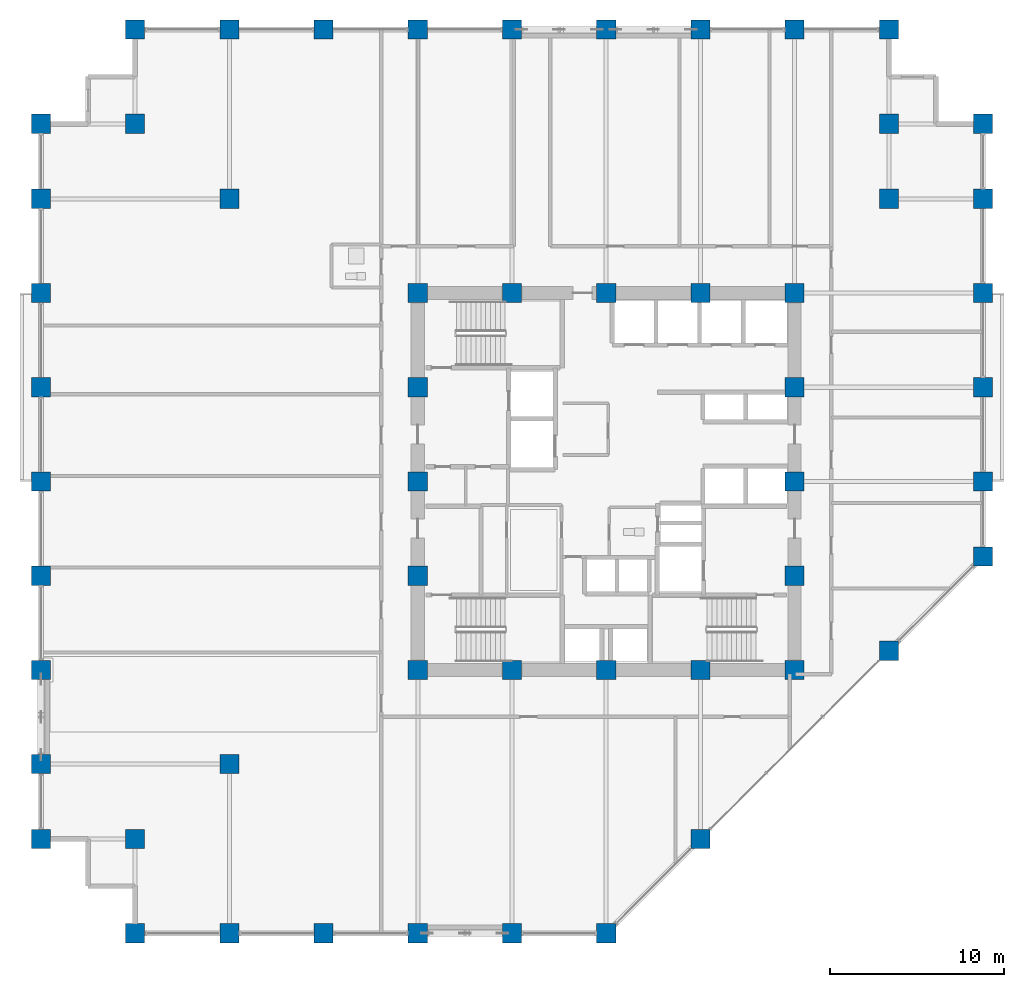
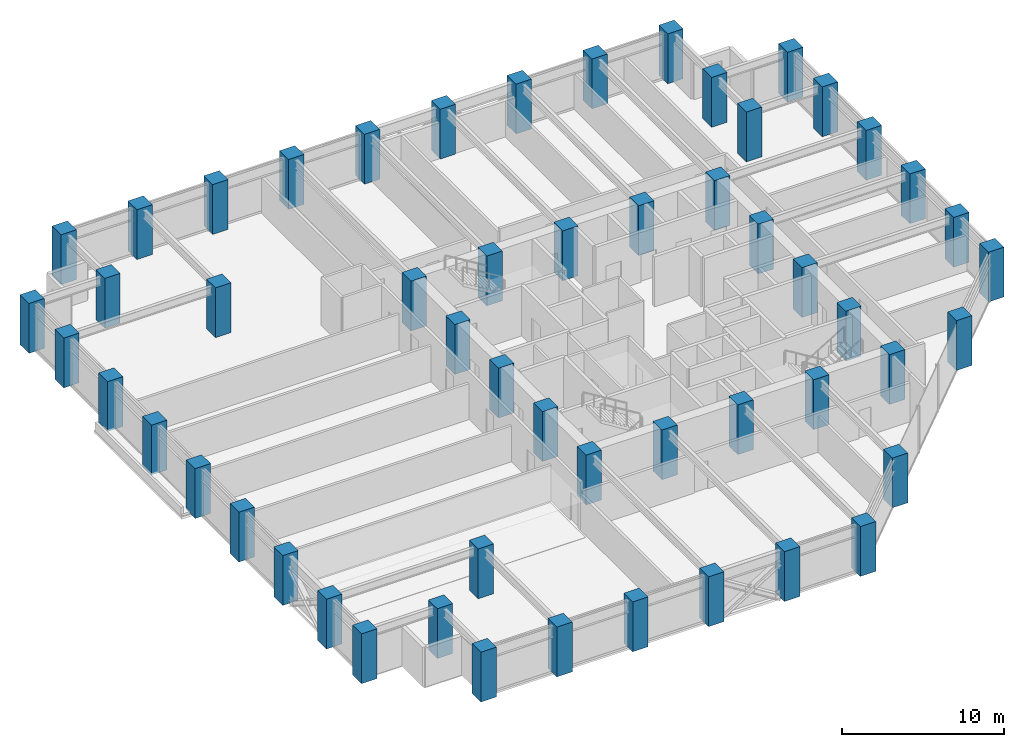
# One storey, part 1 of 24: 54 columns.
"""IFC4 building model written with IfcOpenShell, lengths in metres."""

from ifc_helpers import new_model, si_unit, direction, frame, origin, origin_2d, place, context, subcontext, project, spatial, rectangle, extrude, material, material_profile, profile_set, type_object, element, save


model = new_model("IFC4")

# Units and contexts
model_context = context("Model", 3, precision=1e-05, world=origin(), true_north=direction((0.0, 1.0)))
body_context = subcontext(model_context, "Body", "Model", "MODEL_VIEW")
ifc_project = project(units=[si_unit("LENGTHUNIT", "METRE"), si_unit("AREAUNIT", "SQUARE_METRE"), si_unit("VOLUMEUNIT", "CUBIC_METRE"), si_unit("PLANEANGLEUNIT", "RADIAN"), si_unit("MASSUNIT", "GRAM", prefix="KILO")], contexts=[model_context])

# Site, building, storey
site_placement = place(None, origin())
site = spatial("IfcSite", under=ifc_project, at=site_placement, CompositionType="ELEMENT")
building_placement = place(site_placement, origin())
building = spatial("IfcBuilding", under=site, at=building_placement, Name="Surkhivell Harbour Commons", CompositionType="ELEMENT")
storey_placement = place(building_placement, frame((0.0, 0.0, 105.75)))
storey = spatial("IfcBuildingStorey", under=building, at=storey_placement, Name="L27", CompositionType="ELEMENT", Elevation=105.75)

# Columns
ifc_material = material(Name="Concrete C60/75", Category="concrete")
ifc_material_profile = material_profile(ifc_material, rectangle(XDim=1.10009765625, YDim=1.10009765625, at=origin_2d()), Name="RC-COL-1100x1100")
ifc_profile_set = profile_set([ifc_material_profile], Name="Concrete C60/75")
column_type = type_object("IfcColumnType", Name="COL-TUBE-Z2A", PredefinedType="COLUMN", material=ifc_profile_set)
for number, where, z_axis, x_axis, name in (
    (1, (-32.39990234375, -20.5, 0.0), (0.0, 0.0, 1.0), (1.0, 0.0, 0.0), "L27 Column CT-2A (-32.4,-20.5)"),
    (2, (-32.39990234375, -16.199951171875, 0.0), (0.0, 0.0, 1.0), (1.0, 0.0, 0.0), "L27 Column CT-2A (-32.4,-16.2)"),
    (3, (-32.39990234375, -10.800048828125, 0.0), (0.0, 0.0, 1.0), (1.0, 0.0, 0.0), "L27 Column CT-2A (-32.4,-10.8)"),
    (4, (-32.39990234375, -5.39990234375, 0.0), (0.0, 0.0, 1.0), (1.0, 0.0, 0.0), "L27 Column CT-2A (-32.4,-5.4)"),
    (5, (-32.39990234375, 0.0, 0.0), (0.0, 0.0, 1.0), (1.0, 0.0, 0.0), "L27 Column CT-2A (-32.4,0.0)"),
    (6, (-32.39990234375, 5.39990234375, 0.0), (0.0, 0.0, 1.0), (1.0, 0.0, 0.0), "L27 Column CT-2A (-32.4,5.4)"),
    (7, (-32.39990234375, 10.800048828125, 0.0), (0.0, 0.0, 1.0), (1.0, 0.0, 0.0), "L27 Column CT-2A (-32.4,10.8)"),
    (8, (-32.39990234375, 16.199951171875, 0.0), (0.0, 0.0, 1.0), (1.0, 0.0, 0.0), "L27 Column CT-2A (-32.4,16.2)"),
    (9, (-32.39990234375, 20.5, 0.0), (0.0, 0.0, 1.0), (1.0, 0.0, 0.0), "L27 Column CT-2A (-32.4,20.5)"),
    (10, (-27.0, -25.89990234375, 0.0), (0.0, 0.0, 1.0), (1.0, 0.0, 0.0), "L27 Column CT-2A (-27.0,-25.9)"),
    (11, (-27.0, -20.5, 0.0), (0.0, 0.0, 1.0), (1.0, 0.0, 0.0), "L27 Column CT-2A (-27.0,-20.5)"),
    (12, (-27.0, 20.5, 0.0), (0.0, 0.0, 1.0), (1.0, 0.0, 0.0), "L27 Column CT-2A (-27.0,20.5)"),
    (13, (-27.0, 25.89990234375, 0.0), (0.0, 0.0, 1.0), (1.0, 0.0, 0.0), "L27 Column CT-2A (-27.0,25.9)"),
    (14, (-21.60009765625, -25.89990234375, 0.0), (0.0, 0.0, 1.0), (1.0, 0.0, 0.0), "L27 Column CT-2A (-21.6,-25.9)"),
    (15, (-21.60009765625, -16.199951171875, 0.0), (0.0, 0.0, 1.0), (1.0, 0.0, 0.0), "L27 Column CT-2A (-21.6,-16.2)"),
    (16, (-21.60009765625, 16.199951171875, 0.0), (0.0, 0.0, 1.0), (1.0, 0.0, 0.0), "L27 Column CT-2A (-21.6,16.2)"),
    (17, (-21.60009765625, 25.89990234375, 0.0), (0.0, 0.0, 1.0), (1.0, 0.0, 0.0), "L27 Column CT-2A (-21.6,25.9)"),
    (18, (-16.199951171875, -25.89990234375, 0.0), (0.0, 0.0, 1.0), (1.0, 0.0, 0.0), "L27 Column CT-2A (-16.2,-25.9)"),
    (19, (-16.199951171875, 25.89990234375, 0.0), (0.0, 0.0, 1.0), (1.0, 0.0, 0.0), "L27 Column CT-2A (-16.2,25.9)"),
    (20, (-10.800048828125, -25.89990234375, 0.0), (0.0, 0.0, 1.0), (1.0, 0.0, 0.0), "L27 Column CT-2A (-10.8,-25.9)"),
    (21, (-10.800048828125, -10.800048828125, 0.0), (0.0, 0.0, 1.0), (1.0, 0.0, 0.0), "L27 Column CT-2A (-10.8,-10.8)"),
    (22, (-10.800048828125, -5.39990234375, 0.0), (0.0, 0.0, 1.0), (1.0, 0.0, 0.0), "L27 Column CT-2A (-10.8,-5.4)"),
    (23, (-10.800048828125, 0.0, 0.0), (0.0, 0.0, 1.0), (1.0, 0.0, 0.0), "L27 Column CT-2A (-10.8,0.0)"),
    (24, (-10.800048828125, 5.39990234375, 0.0), (0.0, 0.0, 1.0), (1.0, 0.0, 0.0), "L27 Column CT-2A (-10.8,5.4)"),
    (25, (-10.800048828125, 10.800048828125, 0.0), (0.0, 0.0, 1.0), (1.0, 0.0, 0.0), "L27 Column CT-2A (-10.8,10.8)"),
    (26, (-10.800048828125, 25.89990234375, 0.0), (0.0, 0.0, 1.0), (1.0, 0.0, 0.0), "L27 Column CT-2A (-10.8,25.9)"),
    (27, (-5.39990234375, -25.89990234375, 0.0), (0.0, 0.0, 1.0), (1.0, 0.0, 0.0), "L27 Column CT-2A (-5.4,-25.9)"),
    (28, (-5.39990234375, -10.800048828125, 0.0), (0.0, 0.0, 1.0), (1.0, 0.0, 0.0), "L27 Column CT-2A (-5.4,-10.8)"),
    (29, (-5.39990234375, 10.800048828125, 0.0), (0.0, 0.0, 1.0), (1.0, 0.0, 0.0), "L27 Column CT-2A (-5.4,10.8)"),
    (30, (-5.39990234375, 25.89990234375, 0.0), (0.0, 0.0, 1.0), (1.0, 0.0, 0.0), "L27 Column CT-2A (-5.4,25.9)"),
    (31, (0.0, -25.89990234375, 0.0), (0.0, 0.0, 1.0), (1.0, 0.0, 0.0), "L27 Column CT-2A (-0.0,-25.9)"),
    (32, (0.0, -10.800048828125, 0.0), (0.0, 0.0, 1.0), (1.0, 0.0, 0.0), "L27 Column CT-2A (0.0,-10.8)"),
    (33, (0.0, 10.800048828125, 0.0), (0.0, 0.0, 1.0), (1.0, 0.0, 0.0), "L27 Column CT-2A (0.0,10.8)"),
    (34, (0.0, 25.89990234375, 0.0), (0.0, 0.0, 1.0), (1.0, 0.0, 0.0), "L27 Column CT-2A (-0.0,25.9)"),
    (35, (5.39990234375, -20.5, 0.0), (0.0, 0.0, 1.0), (1.0, 0.0, 0.0), "L27 Column CT-2A (5.4,-20.5)"),
    (36, (5.39990234375, -10.800048828125, 0.0), (0.0, 0.0, 1.0), (1.0, 0.0, 0.0), "L27 Column CT-2A (5.4,-10.8)"),
    (37, (5.39990234375, 10.800048828125, 0.0), (0.0, 0.0, 1.0), (1.0, 0.0, 0.0), "L27 Column CT-2A (5.4,10.8)"),
    (38, (5.39990234375, 25.89990234375, 0.0), (0.0, 0.0, 1.0), (1.0, 0.0, 0.0), "L27 Column CT-2A (5.4,25.9)"),
    (39, (10.800048828125, -10.800048828125, 0.0), (0.0, 0.0, 1.0), (1.0, 0.0, 0.0), "L27 Column CT-2A (10.8,-10.8)"),
    (40, (10.800048828125, -5.39990234375, 0.0), (0.0, 0.0, 1.0), (1.0, 0.0, 0.0), "L27 Column CT-2A (10.8,-5.4)"),
    (41, (10.800048828125, 0.0, 0.0), (0.0, 0.0, 1.0), (1.0, 0.0, 0.0), "L27 Column CT-2A (10.8,0.0)"),
    (42, (10.800048828125, 5.39990234375, 0.0), (0.0, 0.0, 1.0), (1.0, 0.0, 0.0), "L27 Column CT-2A (10.8,5.4)"),
    (43, (10.800048828125, 10.800048828125, 0.0), (0.0, 0.0, 1.0), (1.0, 0.0, 0.0), "L27 Column CT-2A (10.8,10.8)"),
    (44, (10.800048828125, 25.89990234375, 0.0), (0.0, 0.0, 1.0), (1.0, 0.0, 0.0), "L27 Column CT-2A (10.8,25.9)"),
    (45, (16.199951171875, -9.699951171875, 0.0), (0.0, 0.0, 1.0), (1.0, 0.0, 0.0), "L27 Column CT-2A (16.2,-9.7)"),
    (46, (16.199951171875, 16.199951171875, 0.0), (0.0, 0.0, 1.0), (1.0, 0.0, 0.0), "L27 Column CT-2A (16.2,16.2)"),
    (47, (16.199951171875, 20.5, 0.0), (0.0, 0.0, 1.0), (1.0, 0.0, 0.0), "L27 Column CT-2A (16.2,20.5)"),
    (48, (16.199951171875, 25.89990234375, 0.0), (0.0, 0.0, 1.0), (1.0, 0.0, 0.0), "L27 Column CT-2A (16.2,25.9)"),
    (49, (21.60009765625, -4.300048828125, 0.0), (0.0, 0.0, 1.0), (1.0, 0.0, 0.0), "L27 Column CT-2A (21.6,-4.3)"),
    (50, (21.60009765625, 0.0, 0.0), (0.0, 0.0, 1.0), (1.0, 0.0, 0.0), "L27 Column CT-2A (21.6,0.0)"),
    (51, (21.60009765625, 5.39990234375, 0.0), (0.0, 0.0, 1.0), (1.0, 0.0, 0.0), "L27 Column CT-2A (21.6,5.4)"),
    (52, (21.60009765625, 10.800048828125, 0.0), (0.0, 0.0, 1.0), (1.0, 0.0, 0.0), "L27 Column CT-2A (21.6,10.8)"),
    (53, (21.60009765625, 16.199951171875, 0.0), (0.0, 0.0, 1.0), (1.0, 0.0, 0.0), "L27 Column CT-2A (21.6,16.2)"),
    (54, (21.60009765625, 20.5, 0.0), (0.0, 0.0, 1.0), (1.0, 0.0, 0.0), "L27 Column CT-2A (21.6,20.5)"),
):
    element("IfcColumn", number, at=place(storey_placement, frame(where, z_axis=z_axis, x_axis=x_axis)), inside=storey, type_object=column_type, Name=name, PredefinedType="COLUMN", context=body_context, shape_type="SweptSolid", body=[
        extrude(rectangle(XDim=1.10009765625, YDim=1.10009765625, at=origin_2d()), origin(), (0.0, 0.0, 1.0), 3.75),
    ])

save(model, "model.ifc")
